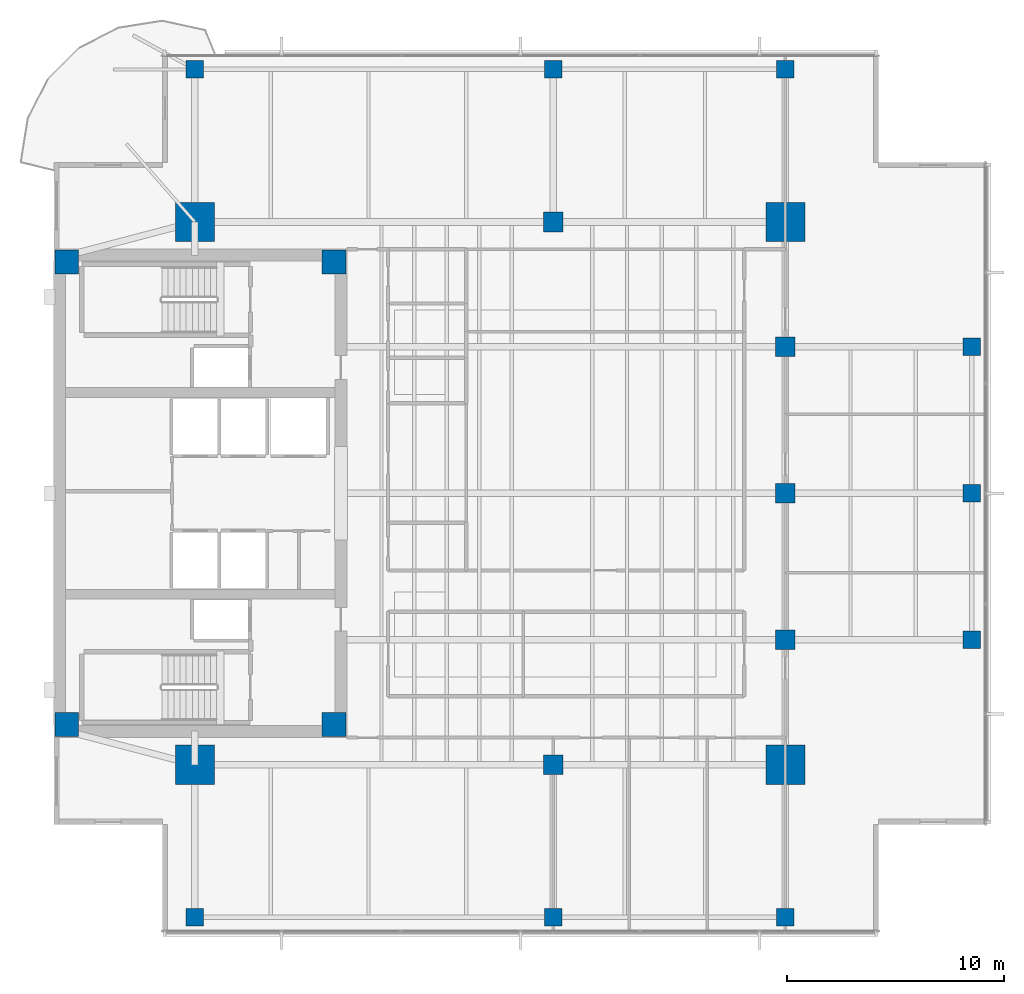
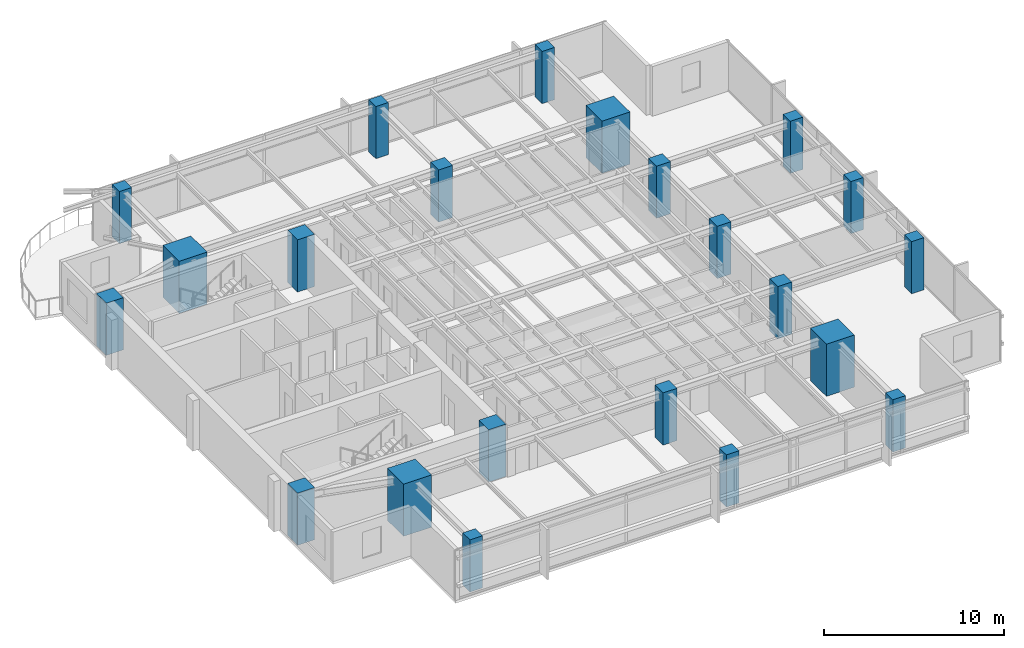
# One storey, part 1 of 14: 22 columns.
"""IFC4 building model written with IfcOpenShell, lengths in metres."""

import ifcopenshell
import ifcopenshell.guid

model = None  # the IFC model being written
_history = None  # IfcOwnerHistory: only IFC2X3 demands one
_inside = {}  # id of a spatial element -> (the spatial element, [elements in it])
_under = {}  # id of a project, library or spatial element -> (it, [spatial elements below it])
_declared = {}  # id of a project -> (the project, [libraries it declares])
_typed = {}  # id of a type object -> (the type object, [elements of that type])
_made_of = {}  # id of a material, layer set ... -> (it, [elements and type objects made of it])


def new_model(schema):
    """Start an empty IFC model of exactly this schema.

    Asked for "IFC4X3", IfcOpenShell would pick the latest addendum, in which some entities
    have other attributes; the version numbers below select the first issue.
    IFC2X3 requires an IfcOwnerHistory on every rooted entity: one is made here for all.
    """
    global model, _history
    if schema == "IFC4X3":
        model = ifcopenshell.file(schema_version=(4, 3, 0, 0))
    else:
        model = ifcopenshell.file(schema=schema)
    _inside.clear()
    _under.clear()
    _declared.clear()
    _typed.clear()
    _made_of.clear()
    _history = None
    if model.schema == "IFC2X3":
        org = make("IfcOrganization", Name="unknown")
        user = make(
            "IfcPersonAndOrganization",
            ThePerson=make("IfcPerson", FamilyName="unknown"),
            TheOrganization=org,
        )
        app = make(
            "IfcApplication",
            ApplicationDeveloper=org,
            Version="unknown",
            ApplicationFullName="unknown",
            ApplicationIdentifier="unknown",
        )
        _history = make(
            "IfcOwnerHistory",
            OwningUser=user,
            OwningApplication=app,
            ChangeAction="ADDED",
            CreationDate=0,
        )
    return model


def make(cls, **values):
    """One entity of the class cls with the attributes given. An attribute that is None is left unset."""
    return model.create_entity(
        cls, **{name: value for name, value in values.items() if value is not None}
    )


def rooted(cls, **values):
    """An entity with a GlobalId (a new one), such as an element, a storey or a relation."""
    return make(cls, GlobalId=ifcopenshell.guid.new(), OwnerHistory=_history, **values)


def si_unit(unit_type, name, prefix=None):
    """IfcSIUnit, for example si_unit("LENGTHUNIT", "METRE", prefix="MILLI")."""
    return make("IfcSIUnit", UnitType=unit_type, Prefix=prefix, Name=name)


def assignment(units):
    """IfcUnitAssignment: the units of a project."""
    return None if units is None else make("IfcUnitAssignment", Units=units)


def point(xyz):
    """IfcCartesianPoint."""
    return None if xyz is None else make("IfcCartesianPoint", Coordinates=xyz)


def direction(xyz):
    """IfcDirection."""
    return None if xyz is None else make("IfcDirection", DirectionRatios=xyz)


def frame(location, z_axis=None, x_axis=None):
    """IfcAxis2Placement3D, a coordinate frame: its origin and axes. An axis left out is left unset."""
    return make(
        "IfcAxis2Placement3D",
        Location=point(location),
        Axis=direction(z_axis),
        RefDirection=direction(x_axis),
    )


def frame_2d(location, x_axis=None):
    """IfcAxis2Placement2D, a coordinate frame in the plane: its origin and x axis."""
    return make(
        "IfcAxis2Placement2D", Location=point(location), RefDirection=direction(x_axis)
    )


def origin():
    """The frame at (0, 0, 0) with its axes left unset."""
    return frame((0.0, 0.0, 0.0))


def origin_2d():
    """The frame at (0, 0) in the plane with its x axis left unset."""
    return frame_2d((0.0, 0.0))


def place(relative_to, where):
    """IfcLocalPlacement: puts the frame where relative to a parent placement (None: the world)."""
    return make(
        "IfcLocalPlacement", PlacementRelTo=relative_to, RelativePlacement=where
    )


def context(
    kind, dimensions, precision=None, world=None, true_north=None, identifier=None
):
    """IfcGeometricRepresentationContext, for example the 3D "Model" context."""
    return make(
        "IfcGeometricRepresentationContext",
        ContextIdentifier=identifier,
        ContextType=kind,
        CoordinateSpaceDimension=dimensions,
        Precision=precision,
        WorldCoordinateSystem=world,
        TrueNorth=true_north,
    )


def subcontext(parent, identifier, kind, view, scale=None):
    """IfcGeometricRepresentationSubContext, for example "Body" below "Model"."""
    return make(
        "IfcGeometricRepresentationSubContext",
        ContextIdentifier=identifier,
        ContextType=kind,
        ParentContext=parent,
        TargetScale=scale,
        TargetView=view,
    )


def project(units=None, contexts=None):
    """IfcProject with its units and contexts."""
    return rooted(
        "IfcProject",
        Name="project",
        RepresentationContexts=contexts,
        UnitsInContext=assignment(units),
    )


def spatial(cls, under=None, at=None, **own):
    """A site, building, storey or space (cls), placed at a placement, below another one or the project."""
    s = rooted(cls, ObjectPlacement=at, **own)
    if under is not None:
        _under.setdefault(under.id(), (under, []))[1].append(s)
    return s


def profile(cls, at=None, kind="AREA", **sizes):
    """A parametric profile (cls). Its sizes go by their IFC names, for example OverallWidth=200.0."""
    return make(cls, ProfileType=kind, Position=at, **sizes)


def rectangle(**sizes):
    """IfcRectangleProfileDef."""
    return profile("IfcRectangleProfileDef", **sizes)


def extrude(swept, where, along, depth):
    """IfcExtrudedAreaSolid: the profile swept, set in the frame where, extruded along a direction by depth."""
    return make(
        "IfcExtrudedAreaSolid",
        SweptArea=swept,
        Position=where,
        ExtrudedDirection=direction(along),
        Depth=depth,
    )


def shape(context_of_items, identifier, shape_type, items):
    """IfcShapeRepresentation: the items that make up one representation, for example the "Body"."""
    return make(
        "IfcShapeRepresentation",
        ContextOfItems=context_of_items,
        RepresentationIdentifier=identifier,
        RepresentationType=shape_type,
        Items=items,
    )


def material(Name=None, Category=None):
    """IfcMaterial."""
    return make("IfcMaterial", Name=Name, Category=Category)


def material_profile(
    of_material, cross_section, Name=None, Category=None, Priority=None
):
    """IfcMaterialProfile: a cross section and its material."""
    return make(
        "IfcMaterialProfile",
        Name=Name,
        Material=of_material,
        Profile=cross_section,
        Priority=Priority,
        Category=Category,
    )


def profile_set(profiles, Name=None, composite=None):
    """IfcMaterialProfileSet."""
    return make(
        "IfcMaterialProfileSet",
        Name=Name,
        MaterialProfiles=profiles,
        CompositeProfile=composite,
    )


def made_of(thing, what):
    """Note that an element or type object is made of a material, layer set ...; save() writes the relation."""
    if what is not None:
        _made_of.setdefault(what.id(), (what, []))[1].append(thing)
    return thing


def type_object(cls, material=None, **own):
    """A type object (cls), such as IfcWallType, which elements share."""
    return made_of(rooted(cls, **own), material)


def element(
    cls,
    number,
    at=None,
    inside=None,
    cuts=None,
    type_object=None,
    material=None,
    context=None,
    identifier="Body",
    shape_type=None,
    held_by="IfcProductDefinitionShape",
    body=None,
    shapes=None,
    **own,
):
    """One element of the class cls, such as IfcWall. Its Tag is "e" and its number.

    at: its placement. inside: the storey or other place that contains it. cuts: it is an
    opening in that element (IfcRelVoidsElement). A single representation is given by context,
    identifier, shape_type and body (its items); several are given by shapes. held_by: the class
    of the entity that holds the representations. save() writes the other relations.
    """
    e = rooted(cls, Tag="e%d" % number, ObjectPlacement=at, **own)
    if body is not None:
        shapes = [shape(context, identifier, shape_type, body)]
    if shapes is not None:
        e.Representation = make(held_by, Representations=shapes)
    if inside is not None:
        _inside.setdefault(inside.id(), (inside, []))[1].append(e)
    if cuts is not None:
        rooted(
            "IfcRelVoidsElement", RelatingBuildingElement=cuts, RelatedOpeningElement=e
        )
    if type_object is not None:
        _typed.setdefault(type_object.id(), (type_object, []))[1].append(e)
    return made_of(e, material)


def aggregate(whole, parts):
    """IfcRelAggregates: a whole, such as a stair, and the parts it consists of."""
    return rooted("IfcRelAggregates", RelatingObject=whole, RelatedObjects=parts)


def save(model, path):
    """Write the relations noted so far, then the file.

    IfcRelAggregates (storeys below a building ...), IfcRelContainedInSpatialStructure (elements
    in a storey), IfcRelDefinesByType, IfcRelAssociatesMaterial and IfcRelDeclares: one each for
    every whole, place, type object, material and project.
    """
    for whole, parts in _under.values():
        aggregate(whole, parts)
    for where, things in _inside.values():
        rooted(
            "IfcRelContainedInSpatialStructure",
            RelatedElements=things,
            RelatingStructure=where,
        )
    for kind, things in _typed.values():
        rooted("IfcRelDefinesByType", RelatedObjects=things, RelatingType=kind)
    for what, things in _made_of.values():
        rooted("IfcRelAssociatesMaterial", RelatedObjects=things, RelatingMaterial=what)
    for by, libraries in _declared.values():
        rooted("IfcRelDeclares", RelatingContext=by, RelatedDefinitions=libraries)
    model.write(path)


model = new_model("IFC4")

# Units and contexts
model_context = context("Model", 3, precision=1e-05, world=origin(), true_north=direction((0.0, 1.0)))
body_context = subcontext(model_context, "Body", "Model", "MODEL_VIEW")
ifc_project = project(units=[si_unit("LENGTHUNIT", "METRE"), si_unit("AREAUNIT", "SQUARE_METRE"), si_unit("VOLUMEUNIT", "CUBIC_METRE"), si_unit("PLANEANGLEUNIT", "RADIAN"), si_unit("MASSUNIT", "GRAM", prefix="KILO")], contexts=[model_context])

# Site, building, storey
site_placement = place(None, origin())
site = spatial("IfcSite", under=ifc_project, at=site_placement, CompositionType="ELEMENT")
building_placement = place(site_placement, origin())
building = spatial("IfcBuilding", under=site, at=building_placement, Name="Kinhvarn Gate Tower", CompositionType="ELEMENT")
storey_placement = place(building_placement, frame((0.0, 0.0, 227.10009765625)))
storey = spatial("IfcBuildingStorey", under=building, at=storey_placement, Name="L60", CompositionType="ELEMENT", Elevation=227.10009765625)

# Columns
ifc_material_1 = material(Name="Concrete C60/75", Category="concrete")
ifc_material_profile_1 = material_profile(ifc_material_1, rectangle(XDim=1.800048828125, YDim=1.800048828125, at=origin_2d()), Name="RC 1800x1800")
ifc_profile_set_1 = profile_set([ifc_material_profile_1], Name="Concrete C60/75")
column_type_1 = type_object("IfcColumnType", Name="COL-MC-1800", PredefinedType="COLUMN", material=ifc_profile_set_1)
for number, where, z_axis, x_axis, name in (
    (1, (11.0, 12.75, 0.0), (0.0, 0.0, 1.0), (1.0, 0.0, 0.0), "Column MC1-L60 (MC-18)"),
    (2, (11.0, 37.75, 0.0), (0.0, 0.0, 1.0), (1.0, 0.0, 0.0), "Column MC4-L60 (MC-18)"),
    (3, (38.199951171875, 12.75, 0.0), (0.0, 0.0, 1.0), (1.0, 0.0, 0.0), "Column MC2-L60 (MC-18)"),
    (4, (38.199951171875, 37.75, 0.0), (0.0, 0.0, 1.0), (1.0, 0.0, 0.0), "Column MC3-L60 (MC-18)"),
):
    element("IfcColumn", number, at=place(storey_placement, frame(where, z_axis=z_axis, x_axis=x_axis)), inside=storey, type_object=column_type_1, Name=name, PredefinedType="COLUMN", context=body_context, shape_type="SweptSolid", body=[
        extrude(rectangle(XDim=1.800048828125, YDim=1.800048828125, at=origin_2d()), origin(), (0.0, 0.0, 1.0), 3.5498046875),
    ])
ifc_material_2 = material(Name="Concrete C50/60", Category="concrete")
ifc_material_profile_2 = material_profile(ifc_material_2, rectangle(XDim=0.800048828125, YDim=0.800048828125, at=origin_2d()), Name="RC 800x800")
ifc_profile_set_2 = profile_set([ifc_material_profile_2], Name="Concrete C50/60")
column_type_2 = type_object("IfcColumnType", Name="COL-RC-800", PredefinedType="COLUMN", material=ifc_profile_set_2)
for number, where, z_axis, x_axis, name in (
    (5, (46.780029296875, 18.5, 0.0), (0.0, 0.0, 1.0), (1.0, 0.0, 0.0), "Column CE-1-L60 (C-080)"),
    (6, (46.780029296875, 25.25, 0.0), (0.0, 0.0, 1.0), (1.0, 0.0, 0.0), "Column CE-2-L60 (C-080)"),
    (7, (46.780029296875, 32.0, 0.0), (0.0, 0.0, 1.0), (1.0, 0.0, 0.0), "Column CE-3-L60 (C-080)"),
    (8, (11.0, 5.719970703125, 0.0), (0.0, 0.0, 1.0), (1.0, 0.0, 0.0), "Column CS-0-L60 (C-080)"),
    (9, (27.5, 5.719970703125, 0.0), (0.0, 0.0, 1.0), (1.0, 0.0, 0.0), "Column CS-1-L60 (C-080)"),
    (10, (38.199951171875, 5.719970703125, 0.0), (0.0, 0.0, 1.0), (1.0, 0.0, 0.0), "Column CS-2-L60 (C-080)"),
    (11, (11.0, 44.780029296875, 0.0), (0.0, 0.0, 1.0), (1.0, 0.0, 0.0), "Column CN-0-L60 (C-080)"),
    (12, (27.5, 44.780029296875, 0.0), (0.0, 0.0, 1.0), (1.0, 0.0, 0.0), "Column CN-1-L60 (C-080)"),
    (13, (38.199951171875, 44.780029296875, 0.0), (0.0, 0.0, 1.0), (1.0, 0.0, 0.0), "Column CN-2-L60 (C-080)"),
):
    element("IfcColumn", number, at=place(storey_placement, frame(where, z_axis=z_axis, x_axis=x_axis)), inside=storey, type_object=column_type_2, Name=name, PredefinedType="COLUMN", context=body_context, shape_type="SweptSolid", body=[
        extrude(rectangle(XDim=0.800048828125, YDim=0.800048828125, at=origin_2d()), origin(), (0.0, 0.0, 1.0), 3.5498046875),
    ])
ifc_material_profile_3 = material_profile(ifc_material_1, rectangle(XDim=0.89990234375, YDim=0.89990234375, at=origin_2d()), Name="RC 900x900")
ifc_profile_set_3 = profile_set([ifc_material_profile_3], Name="Concrete C60/75")
column_type_3 = type_object("IfcColumnType", Name="COL-RC-900", PredefinedType="COLUMN", material=ifc_profile_set_3)
for number, where, z_axis, x_axis, name in (
    (14, (27.5, 12.75, 0.0), (0.0, 0.0, 1.0), (1.0, 0.0, 0.0), "Column SP27-S-L60 (C-090)"),
    (15, (27.5, 37.75, 0.0), (0.0, 0.0, 1.0), (1.0, 0.0, 0.0), "Column SP27-N-L60 (C-090)"),
    (16, (38.199951171875, 18.5, 0.0), (0.0, 0.0, 1.0), (1.0, 0.0, 0.0), "Column SP38-E1-L60 (C-090)"),
    (17, (38.199951171875, 25.25, 0.0), (0.0, 0.0, 1.0), (1.0, 0.0, 0.0), "Column SP38-E2-L60 (C-090)"),
    (18, (38.199951171875, 32.0, 0.0), (0.0, 0.0, 1.0), (1.0, 0.0, 0.0), "Column SP38-E3-L60 (C-090)"),
):
    element("IfcColumn", number, at=place(storey_placement, frame(where, z_axis=z_axis, x_axis=x_axis)), inside=storey, type_object=column_type_3, Name=name, PredefinedType="COLUMN", context=body_context, shape_type="SweptSolid", body=[
        extrude(rectangle(XDim=0.89990234375, YDim=0.89990234375, at=origin_2d()), origin(), (0.0, 0.0, 1.0), 3.5498046875),
    ])
ifc_material_profile_4 = material_profile(ifc_material_1, rectangle(XDim=1.10009765625, YDim=1.10009765625, at=origin_2d()), Name="RC 1100x1100")
ifc_profile_set_4 = profile_set([ifc_material_profile_4], Name="Concrete C60/75")
column_type_4 = type_object("IfcColumnType", Name="PIL-RC-1100", PredefinedType="PILASTER", material=ifc_profile_set_4)
for number, where, z_axis, x_axis, name in (
    (19, (5.10009765625, 14.60009765625, 0.0), (0.0, 0.0, 1.0), (1.0, 0.0, 0.0), "Column CC-SW-L60 (CP-110)"),
    (20, (5.10009765625, 35.89990234375, 0.0), (0.0, 0.0, 1.0), (1.0, 0.0, 0.0), "Column CC-NW-L60 (CP-110)"),
    (21, (17.39990234375, 14.60009765625, 0.0), (0.0, 0.0, 1.0), (1.0, 0.0, 0.0), "Column CC-SE-L60 (CP-110)"),
    (22, (17.39990234375, 35.89990234375, 0.0), (0.0, 0.0, 1.0), (1.0, 0.0, 0.0), "Column CC-NE-L60 (CP-110)"),
):
    element("IfcColumn", number, at=place(storey_placement, frame(where, z_axis=z_axis, x_axis=x_axis)), inside=storey, type_object=column_type_4, Name=name, PredefinedType="PILASTER", context=body_context, shape_type="SweptSolid", body=[
        extrude(rectangle(XDim=1.10009765625, YDim=1.10009765625, at=origin_2d()), origin(), (0.0, 0.0, 1.0), 3.5498046875),
    ])

save(model, "model.ifc")
